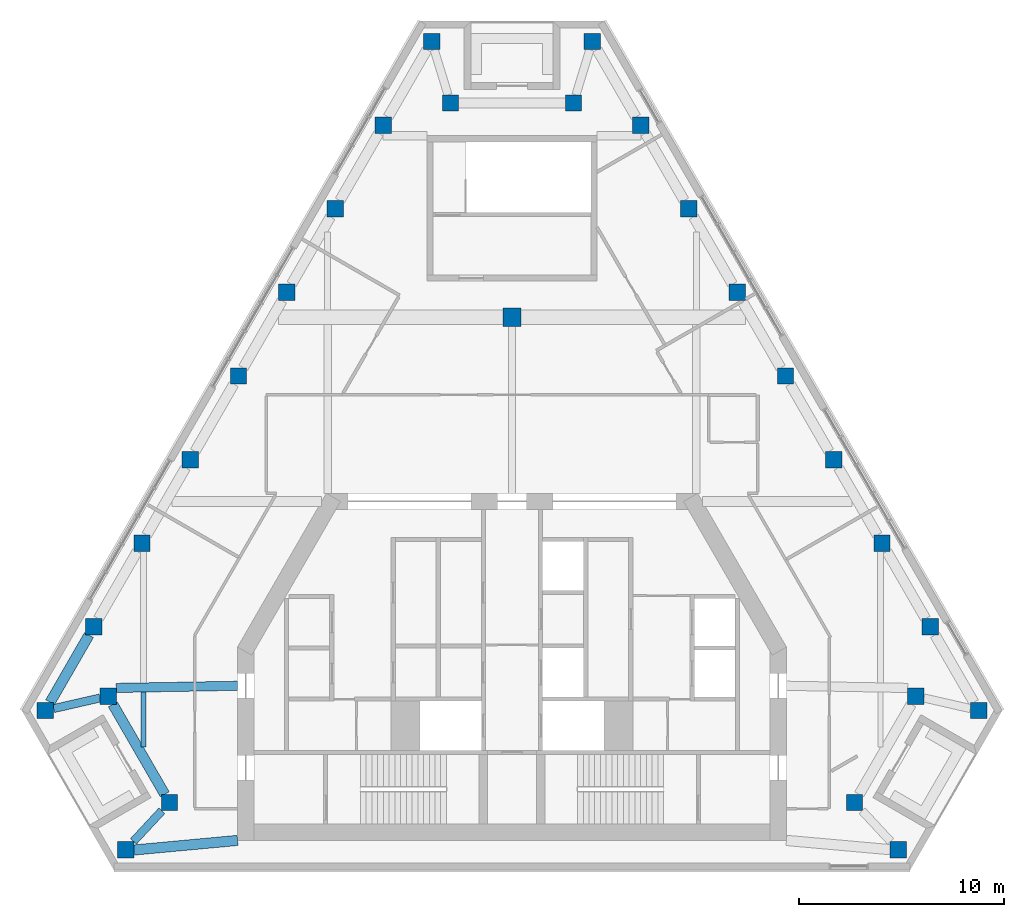
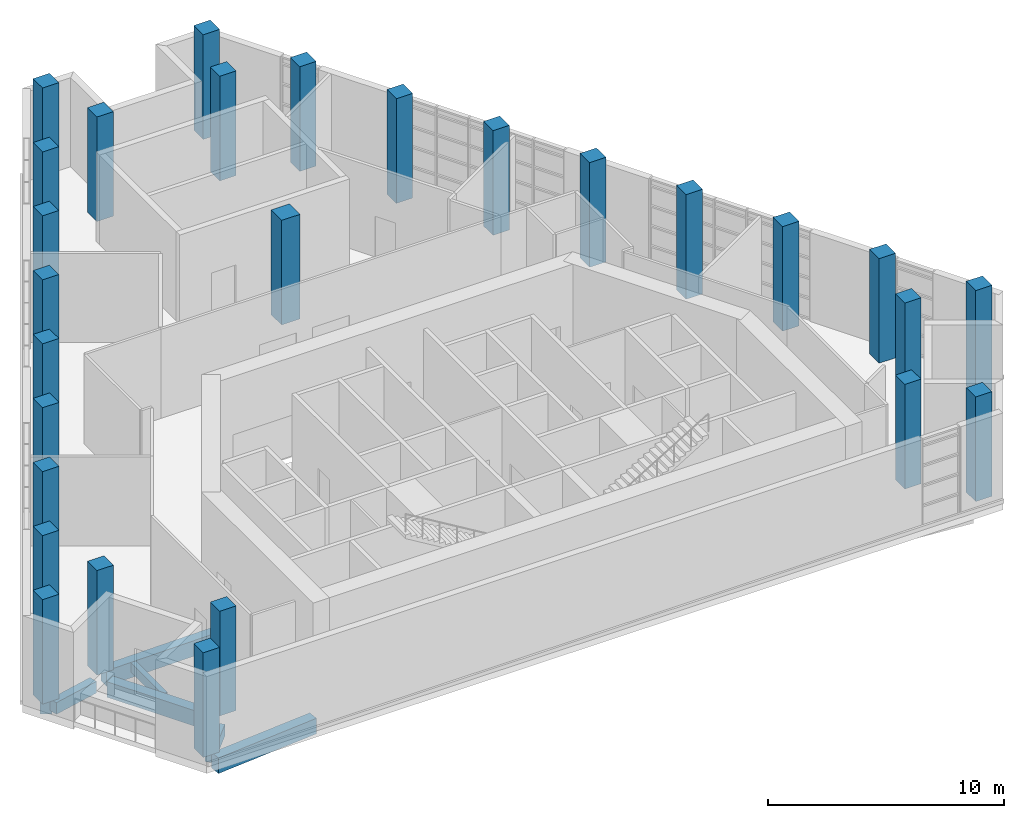
# One storey, part 1 of 13: 27 columns, 7 beams.
"""IFC4 building model written with IfcOpenShell, lengths in metres."""

from ifc_helpers import new_model, si_unit, direction, frame, origin, origin_2d, place, context, subcontext, project, spatial, rectangle, extrude, material, material_profile, profile_set, type_object, element, save


model = new_model("IFC4")

# Units and contexts
model_context = context("Model", 3, precision=1e-05, world=origin(), true_north=direction((0.0, 1.0)))
body_context = subcontext(model_context, "Body", "Model", "MODEL_VIEW")
ifc_project = project(units=[si_unit("LENGTHUNIT", "METRE"), si_unit("AREAUNIT", "SQUARE_METRE"), si_unit("VOLUMEUNIT", "CUBIC_METRE"), si_unit("PLANEANGLEUNIT", "RADIAN"), si_unit("MASSUNIT", "GRAM", prefix="KILO")], contexts=[model_context])

# Site, building, storey
site_placement = place(None, origin())
site = spatial("IfcSite", under=ifc_project, at=site_placement, CompositionType="ELEMENT")
building_placement = place(site_placement, origin())
building = spatial("IfcBuilding", under=site, at=building_placement, Name="Fogline Exchange Tower", CompositionType="ELEMENT")
storey_placement = place(building_placement, frame((0.0, 0.0, 339.300048828125)))
storey = spatial("IfcBuildingStorey", under=building, at=storey_placement, Name="L77", CompositionType="ELEMENT", Elevation=339.300048828125)

# Columns
ifc_material_1 = material(Name="Concrete C60", Category="concrete")
ifc_material_profile_1 = material_profile(ifc_material_1, rectangle(XDim=0.89990234375, YDim=0.89990234375, at=origin_2d()), Name="RC 900x900")
ifc_profile_set_1 = profile_set([ifc_material_profile_1], Name="Concrete C60")
column_type_1 = type_object("IfcColumnType", Name="C06", PredefinedType="COLUMN", material=ifc_profile_set_1)
column_placement = place(storey_placement, frame((0.0, 27.0, 0.0), z_axis=(0.0, 0.0, 1.0), x_axis=(1.0, 0.0, 0.0)))
element("IfcColumn", 1, at=column_placement, inside=storey, type_object=column_type_1, Name="IC-0-27", PredefinedType="COLUMN", context=body_context, shape_type="SweptSolid", body=[
    extrude(rectangle(XDim=0.89990234375, YDim=0.89990234375, at=origin_2d()), origin(), (0.0, 0.0, 1.0), 5.39990234375),
])
ifc_material_profile_2 = material_profile(ifc_material_1, rectangle(XDim=0.800048828125, YDim=0.800048828125, at=origin_2d()), Name="RC 800x800")
ifc_profile_set_2 = profile_set([ifc_material_profile_2], Name="Concrete C60")
column_type_2 = type_object("IfcColumnType", Name="C07", PredefinedType="COLUMN", material=ifc_profile_set_2)
for number, where, z_axis, x_axis, name in (
    (2, (-22.7802734375, 7.794189453125, 0.0), (0.0, 0.0, 1.0), (1.0, 0.0, 0.0), "SW-a"),
    (3, (-19.720947265625, 8.4951171875, 0.0), (0.0, 0.0, 1.0), (1.0, 0.0, 0.0), "SW-p4"),
    (4, (-16.720947265625, 3.299072265625, 0.0), (0.0, 0.0, 1.0), (1.0, 0.0, 0.0), "SW-p3"),
    (5, (-18.857666015625, 1.0, 0.0), (0.0, 0.0, 1.0), (1.0, 0.0, 0.0), "SW-b"),
    (6, (18.857666015625, 1.0, 0.0), (0.0, 0.0, 1.0), (1.0, 0.0, 0.0), "SE-a"),
    (7, (16.720947265625, 3.299072265625, 0.0), (0.0, 0.0, 1.0), (1.0, 0.0, 0.0), "SE-p4"),
    (8, (19.720947265625, 8.4951171875, 0.0), (0.0, 0.0, 1.0), (1.0, 0.0, 0.0), "SE-p3"),
    (9, (22.7802734375, 7.794189453125, 0.0), (0.0, 0.0, 1.0), (1.0, 0.0, 0.0), "SE-b"),
    (10, (20.423095703125, 11.876953125, 0.0), (0.0, 0.0, 1.0), (1.0, 0.0, 0.0), "E1"),
    (11, (18.06591796875, 15.959716796875, 0.0), (0.0, 0.0, 1.0), (1.0, 0.0, 0.0), "E2"),
    (12, (15.708740234375, 20.04248046875, 0.0), (0.0, 0.0, 1.0), (1.0, 0.0, 0.0), "E3"),
    (13, (13.3515625, 24.12548828125, 0.0), (0.0, 0.0, 1.0), (1.0, 0.0, 0.0), "E4"),
    (14, (10.994384765625, 28.208251953125, 0.0), (0.0, 0.0, 1.0), (1.0, 0.0, 0.0), "E5"),
    (15, (8.63720703125, 32.291015625, 0.0), (0.0, 0.0, 1.0), (1.0, 0.0, 0.0), "E6"),
    (16, (6.27978515625, 36.373779296875, 0.0), (0.0, 0.0, 1.0), (1.0, 0.0, 0.0), "E7"),
    (17, (3.922607421875, 40.456787109375, 0.0), (0.0, 0.0, 1.0), (1.0, 0.0, 0.0), "N-a"),
    (18, (3.0, 37.456787109375, 0.0), (0.0, 0.0, 1.0), (1.0, 0.0, 0.0), "N-p4"),
    (19, (-3.0, 37.456787109375, 0.0), (0.0, 0.0, 1.0), (1.0, 0.0, 0.0), "N-p3"),
    (20, (-3.922607421875, 40.456787109375, 0.0), (0.0, 0.0, 1.0), (1.0, 0.0, 0.0), "N-b"),
    (21, (-6.27978515625, 36.373779296875, 0.0), (0.0, 0.0, 1.0), (1.0, 0.0, 0.0), "W1"),
    (22, (-8.63720703125, 32.291015625, 0.0), (0.0, 0.0, 1.0), (1.0, 0.0, 0.0), "W2"),
    (23, (-10.994384765625, 28.208251953125, 0.0), (0.0, 0.0, 1.0), (1.0, 0.0, 0.0), "W3"),
    (24, (-13.3515625, 24.12548828125, 0.0), (0.0, 0.0, 1.0), (1.0, 0.0, 0.0), "W4"),
    (25, (-15.708740234375, 20.04248046875, 0.0), (0.0, 0.0, 1.0), (1.0, 0.0, 0.0), "W5"),
    (26, (-18.06591796875, 15.959716796875, 0.0), (0.0, 0.0, 1.0), (1.0, 0.0, 0.0), "W6"),
    (27, (-20.423095703125, 11.876953125, 0.0), (0.0, 0.0, 1.0), (1.0, 0.0, 0.0), "W7"),
):
    element("IfcColumn", number, at=place(storey_placement, frame(where, z_axis=z_axis, x_axis=x_axis)), inside=storey, type_object=column_type_2, Name=name, PredefinedType="COLUMN", context=body_context, shape_type="SweptSolid", body=[
        extrude(rectangle(XDim=0.800048828125, YDim=0.800048828125, at=origin_2d()), origin(), (0.0, 0.0, 1.0), 5.39990234375),
    ])

# Beams
ifc_material_2 = material(Name="Concrete C40", Category="concrete")
ifc_material_profile_3 = material_profile(ifc_material_2, rectangle(XDim=0.25, YDim=0.5, at=origin_2d()), Name="RC 250x500")
ifc_profile_set_3 = profile_set([ifc_material_profile_3], Name="Concrete C40")
beam_type_1 = type_object("IfcBeamType", Name="B08", PredefinedType="BEAM", material=ifc_profile_set_3)
beam_1_placement = place(storey_placement, frame((-18.0, 6.014404296875, -0.650146484375), z_axis=(0.0, 1.0, 0.0), x_axis=(-1.0, 0.0, 0.0)))
element("IfcBeam", 28, at=beam_1_placement, inside=storey, type_object=beam_type_1, Name="SB001", PredefinedType="BEAM", context=body_context, shape_type="SweptSolid", body=[
    extrude(rectangle(XDim=0.25, YDim=0.5, at=origin_2d()), origin(), (0.0, 0.0, 1.0), 2.67919921875),
])
ifc_material_profile_4 = material_profile(ifc_material_2, rectangle(XDim=0.5, YDim=0.800048828125, at=origin_2d()), Name="RC 500x800")
ifc_profile_set_4 = profile_set([ifc_material_profile_4], Name="Concrete C40")
beam_type_2 = type_object("IfcBeamType", Name="B10", PredefinedType="BEAM", material=ifc_profile_set_4)
beam_2_placement = place(storey_placement, frame((-19.489990234375, 8.09521484375, -0.800048828125), z_axis=(0.499987508774, -0.866032615477, 0.0), x_axis=(0.866032615477, 0.499987508774, 0.0)))
element("IfcBeam", 29, at=beam_2_placement, inside=storey, type_object=beam_type_2, Name="RB002", PredefinedType="BEAM", context=body_context, shape_type="SweptSolid", body=[
    extrude(rectangle(XDim=0.5, YDim=0.800048828125, at=origin_2d()), origin(), (0.0, 0.0, 1.0), 5.076416015625),
])
beam_3_placement = place(storey_placement, frame((-18.457763671875, 0.981689453125, -0.800048828125), z_axis=(0.995741736268, 0.092186737952, 0.0), x_axis=(-0.092186737952, 0.995741736268, 0.0)))
element("IfcBeam", 30, at=beam_3_placement, inside=storey, type_object=beam_type_2, Name="RB004", PredefinedType="BEAM", context=body_context, shape_type="SweptSolid", body=[
    extrude(rectangle(XDim=0.5, YDim=0.800048828125, at=origin_2d()), origin(), (0.0, 0.0, 1.0), 5.07958984375),
])
beam_4_placement = place(storey_placement, frame((-20.654052734375, 11.47705078125, -0.800048828125), z_axis=(-0.499969613651, -0.86604294664, 0.0), x_axis=(0.86604294664, -0.499969613651, 0.0)))
element("IfcBeam", 31, at=beam_4_placement, inside=storey, type_object=beam_type_2, Name="RB027", PredefinedType="BEAM", context=body_context, shape_type="SweptSolid", body=[
    extrude(rectangle(XDim=0.5, YDim=0.800048828125, at=origin_2d()), origin(), (0.0, 0.0, 1.0), 3.790771484375),
])
ifc_material_profile_5 = material_profile(ifc_material_2, rectangle(XDim=0.39990234375, YDim=0.60009765625, at=origin_2d()), Name="RC 400x600")
ifc_profile_set_5 = profile_set([ifc_material_profile_5], Name="Concrete C40")
beam_type_3 = type_object("IfcBeamType", Name="B11", PredefinedType="BEAM", material=ifc_profile_set_5)
beam_5_placement = place(storey_placement, frame((-22.38037109375, 7.885986328125, -0.699951171875), z_axis=(0.974753812703, 0.223282342834, 0.0), x_axis=(-0.223282342834, 0.974753812703, 0.0)))
element("IfcBeam", 32, at=beam_5_placement, inside=storey, type_object=beam_type_3, Name="RB001", PredefinedType="BEAM", context=body_context, shape_type="SweptSolid", body=[
    extrude(rectangle(XDim=0.39990234375, YDim=0.60009765625, at=origin_2d()), origin(), (0.0, 0.0, 1.0), 2.318115234375),
])
beam_6_placement = place(storey_placement, frame((-17.0927734375, 2.89892578125, -0.699951171875), z_axis=(-0.680743909802, -0.732521487239, 0.0), x_axis=(0.732521487239, -0.680743909802, 0.0)))
element("IfcBeam", 33, at=beam_6_placement, inside=storey, type_object=beam_type_3, Name="RB003", PredefinedType="BEAM", context=body_context, shape_type="SweptSolid", body=[
    extrude(rectangle(XDim=0.39990234375, YDim=0.60009765625, at=origin_2d()), origin(), (0.0, 0.0, 1.0), 2.04638671875),
])
ifc_material_profile_6 = material_profile(ifc_material_2, rectangle(XDim=0.449951171875, YDim=0.800048828125, at=origin_2d()), Name="RC 450x800")
ifc_profile_set_6 = profile_set([ifc_material_profile_6], Name="Concrete C40")
beam_type_4 = type_object("IfcBeamType", Name="B18", PredefinedType="BEAM", material=ifc_profile_set_6)
beam_7_placement = place(storey_placement, frame((-19.32080078125, 8.895263671875, -0.800048828125), z_axis=(0.9998435817, 0.017686495817, 0.0), x_axis=(-0.017686495817, 0.9998435817, 0.0)))
element("IfcBeam", 34, at=beam_7_placement, inside=storey, type_object=beam_type_4, Name="GB001", PredefinedType="BEAM", context=body_context, shape_type="SweptSolid", body=[
    extrude(rectangle(XDim=0.449951171875, YDim=0.800048828125, at=origin_2d()), origin(), (0.0, 0.0, 1.0), 5.921875),
])

save(model, "model.ifc")
